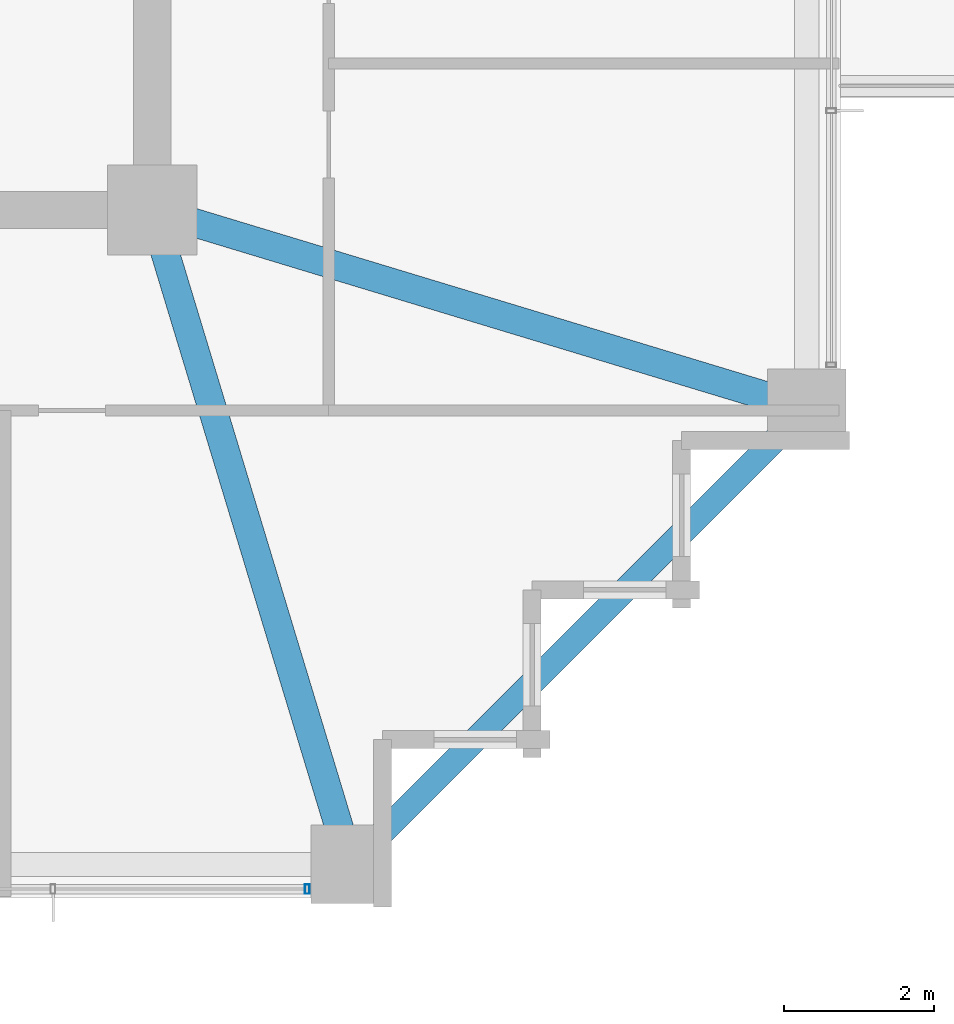
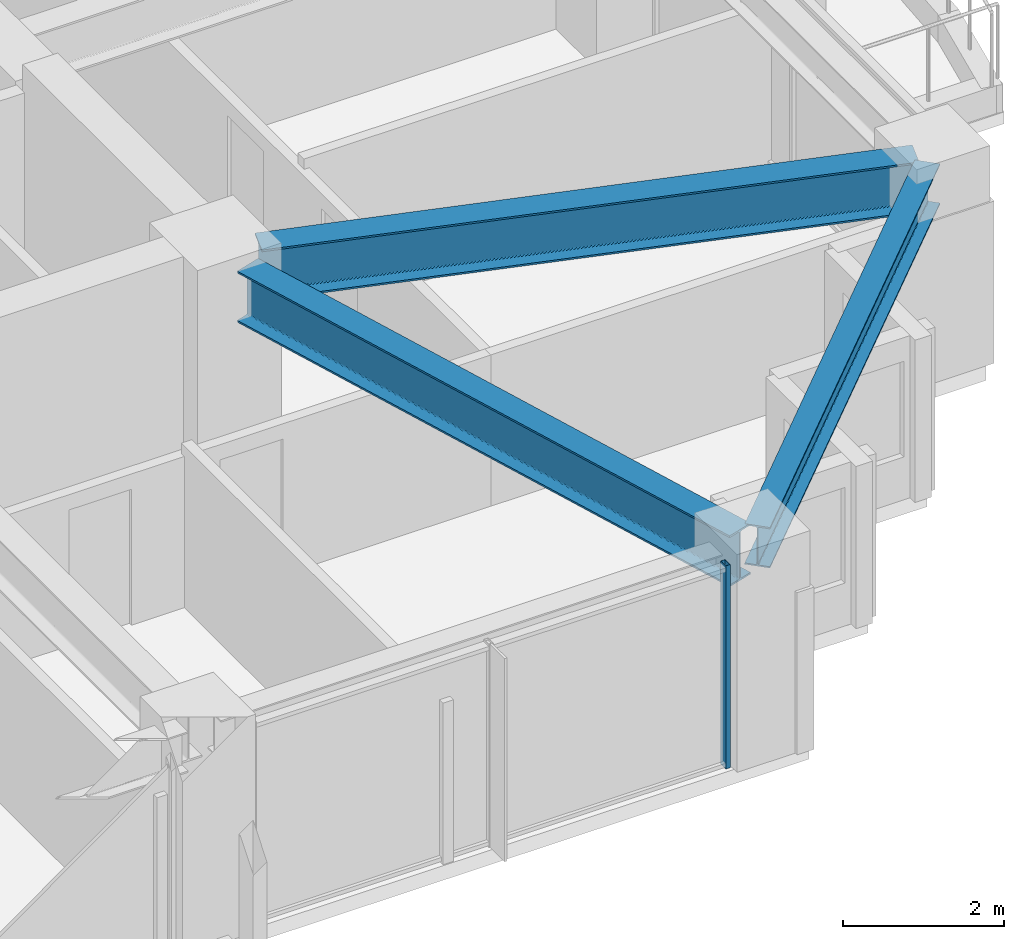
# One storey, part 13 of 35: 3 beams, 1 member, 1 element without a shape of its own.
"""IFC4 building model written with IfcOpenShell, lengths in metres."""

from ifc_helpers import new_model, si_unit, direction, frame, origin, origin_2d, place, context, subcontext, project, spatial, hollow_rectangle, i_section, extrude, material, material_profile, profile_set, type_object, element, aggregate, save


model = new_model("IFC4")

# Units and contexts
model_context = context("Model", 3, precision=1e-05, world=origin(), true_north=direction((0.0, 1.0)))
body_context = subcontext(model_context, "Body", "Model", "MODEL_VIEW")
ifc_project = project(units=[si_unit("LENGTHUNIT", "METRE"), si_unit("AREAUNIT", "SQUARE_METRE"), si_unit("VOLUMEUNIT", "CUBIC_METRE"), si_unit("PLANEANGLEUNIT", "RADIAN"), si_unit("MASSUNIT", "GRAM", prefix="KILO")], contexts=[model_context])

# Site, building, storey
site_placement = place(None, origin())
site = spatial("IfcSite", under=ifc_project, at=site_placement, CompositionType="ELEMENT")
building_placement = place(site_placement, origin())
building = spatial("IfcBuilding", under=site, at=building_placement, Name="Kolvaren Belvedere", CompositionType="ELEMENT")
storey_placement = place(building_placement, frame((0.0, 0.0, 115.10009765625)))
storey = spatial("IfcBuildingStorey", under=building, at=storey_placement, Name="L33", CompositionType="ELEMENT", Elevation=115.10009765625)

# Beams
ifc_material_1 = material(Name="Structural steel ASTM A992 Grade 50", Category="steel")
ifc_material_profile_1 = material_profile(ifc_material_1, i_section(OverallWidth=0.381103515625, OverallDepth=0.77294921875, WebThickness=0.0166015625, FlangeThickness=0.027099609375, FilletRadius=0.02392578125, at=origin_2d()), Name="W30X173")
ifc_profile_set_1 = profile_set([ifc_material_profile_1], Name="Structural steel ASTM A992 Grade 50")
beam_type_1 = type_object("IfcBeamType", Name="BM-GIRD-W30X173", PredefinedType="BEAM", material=ifc_profile_set_1)
for number, where, z_axis, x_axis, name in (
    (1, (10.059326171875, -10.426513671875, 2.693359375), (0.289858652454, -0.957069465398, 0.0), (0.957069465398, 0.289858652454, 0.0), "L33 Corner Core-to-Perimeter Girder CC2-S4"),
    (2, (10.426513671875, -10.059326171875, 2.693359375), (0.957069465398, -0.289858652454, 0.0), (0.289858652454, 0.957069465398, 0.0), "L33 Corner Core-to-Perimeter Girder CC2-E1"),
):
    element("IfcBeam", number, at=place(storey_placement, frame(where, z_axis=z_axis, x_axis=x_axis)), inside=storey, type_object=beam_type_1, Name=name, PredefinedType="BEAM", context=body_context, shape_type="SweptSolid", body=[
        extrude(i_section(OverallWidth=0.381103515625, OverallDepth=0.77294921875, WebThickness=0.0166015625, FlangeThickness=0.027099609375, FilletRadius=0.02392578125, at=origin_2d()), origin(), (0.0, 0.0, 1.0), 8.38232421875),
    ])
ifc_material_2 = material(Name="Structural steel ASTM A992 Grade 50", Category="steel")
ifc_material_profile_2 = material_profile(ifc_material_2, i_section(OverallWidth=0.324951171875, OverallDepth=0.615966796875, WebThickness=0.013916015625, FlangeThickness=0.021484375, FilletRadius=0.02001953125, at=origin_2d()), Name="W24X117")
ifc_profile_set_2 = profile_set([ifc_material_profile_2], Name="Structural steel ASTM A992 Grade 50")
beam_type_2 = type_object("IfcBeamType", Name="BM-SPAN-W24X117", PredefinedType="SPANDREL", material=ifc_profile_set_2)
beam_placement = place(storey_placement, frame((12.717041015625, -18.48291015625, 2.77197265625), z_axis=(0.707106781187, 0.707106781187, 0.0), x_axis=(-0.707106781187, 0.707106781187, 0.0)))
element("IfcBeam", 3, at=beam_placement, inside=storey, type_object=beam_type_2, Name="L33 Perimeter Spandrel S4-E1", PredefinedType="SPANDREL", context=body_context, shape_type="SweptSolid", body=[
    extrude(i_section(OverallWidth=0.324951171875, OverallDepth=0.615966796875, WebThickness=0.013916015625, FlangeThickness=0.021484375, FilletRadius=0.02001953125, at=origin_2d()), origin(), (0.0, 0.0, 1.0), 8.154052734375),
])

# Curtain wall, member
ifc_material_3 = material(Name="Anodised pale-metal aluminium AA 6063-T6", Category="aluminium")
curtain_wall_type = type_object("IfcCurtainWallType", Name="CW-Z3-WAIST", PredefinedType="NOTDEFINED", material=ifc_material_3)
curtain_wall_placement = place(storey_placement, origin())
curtain_wall = element("IfcCurtainWall", 4, at=curtain_wall_placement, inside=storey, type_object=curtain_wall_type, Name="L33 Unitised Curtain Wall FCW-L33-S-B1", PredefinedType="NOTDEFINED")
ifc_material_4 = material(Name="Anodised pale-metal aluminium AA 6063-T6", Category="aluminium")
ifc_material_profile_3 = material_profile(ifc_material_4, hollow_rectangle(XDim=0.06494140625, YDim=0.1298828125, WallThickness=0.00390625, at=origin_2d()), Name="ALU-MUL-130X65")
ifc_profile_set_3 = profile_set([ifc_material_profile_3], Name="Anodised pale-metal aluminium AA 6063-T6")
member_type = type_object("IfcMemberType", Name="CW-MUL-130", PredefinedType="MULLION", material=ifc_profile_set_3)
member_placement = place(storey_placement, frame((11.972412109375, -18.97998046875, 0.0), z_axis=(0.0, 0.0, 1.0), x_axis=(1.0, 0.0, 0.0)))
member = element("IfcMember", 5, at=member_placement, type_object=member_type, Name="FCW-L33-S-B1 Unitised Mullion 1", PredefinedType="MULLION", context=body_context, shape_type="SweptSolid", body=[
    extrude(hollow_rectangle(XDim=0.06494140625, YDim=0.1298828125, WallThickness=0.00390625, at=origin_2d()), origin(), (0.0, 0.0, 1.0), 3.079833984375),
])
aggregate(curtain_wall, [member])

save(model, "model.ifc")
